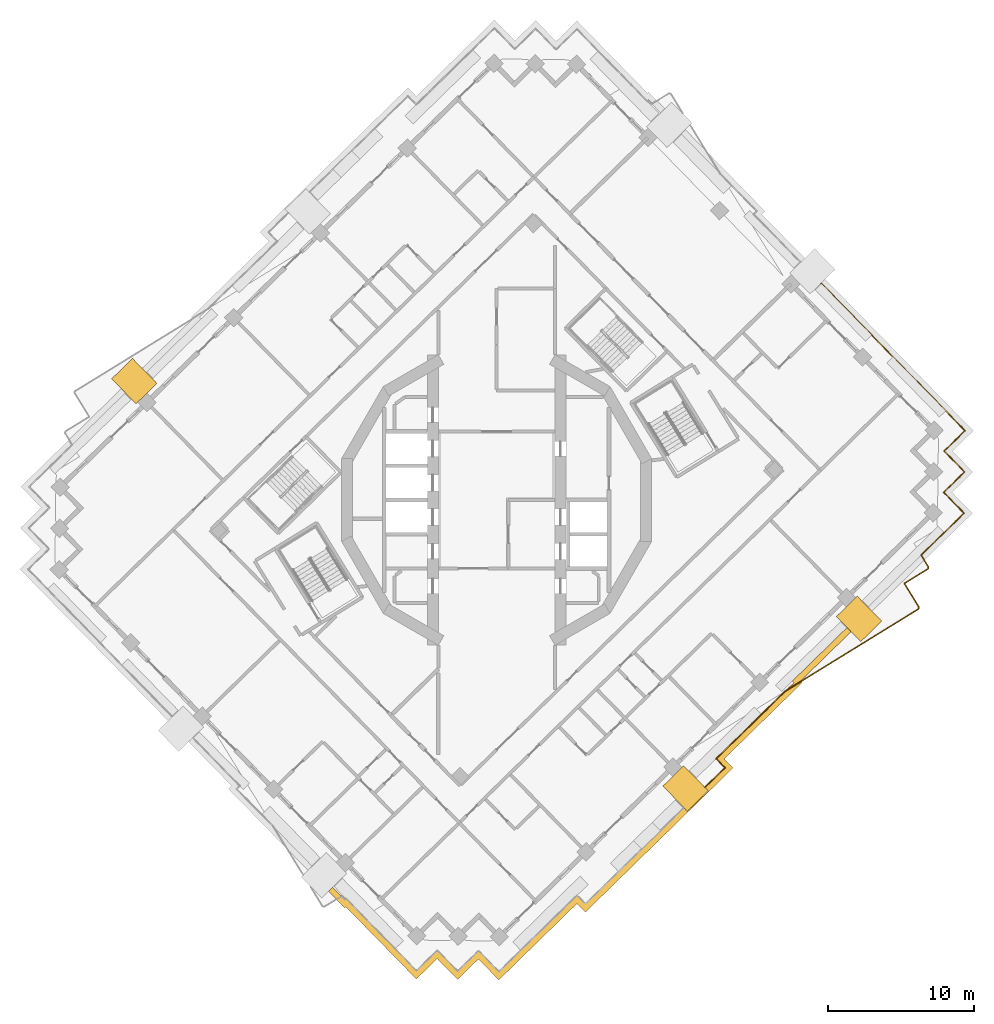
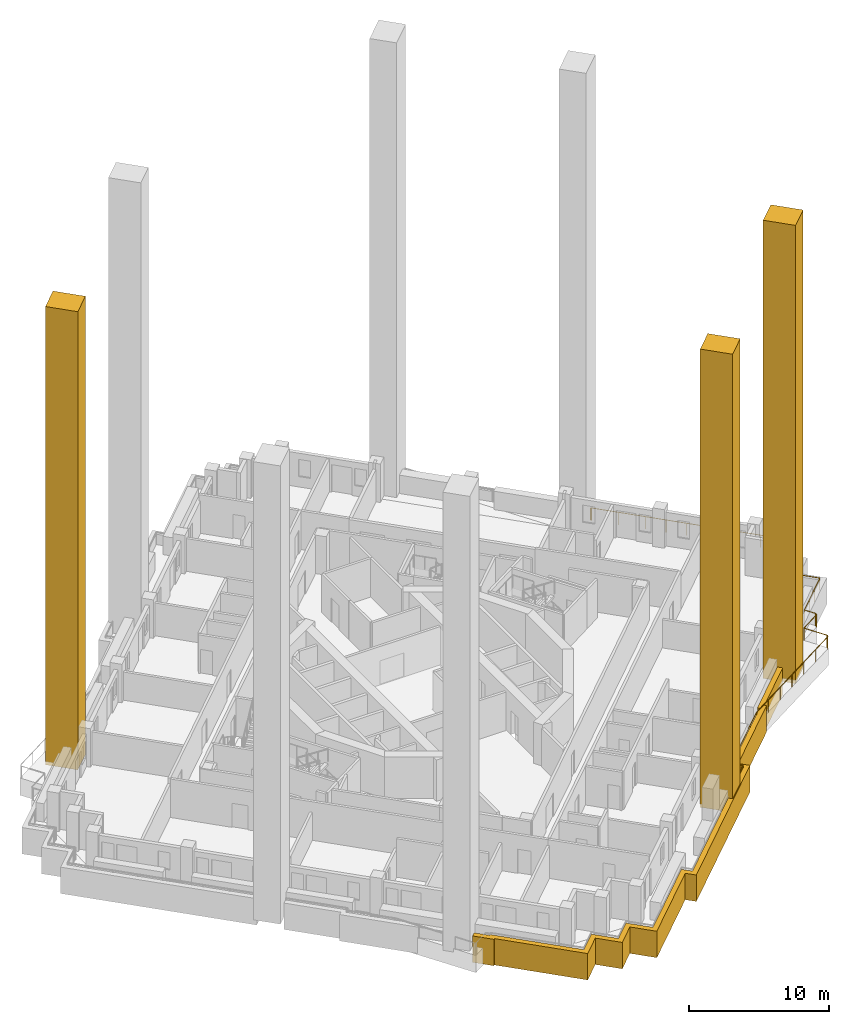
# One storey, part 13 of 17: 4 coverings, 1 railing.
"""IFC4 building model written with IfcOpenShell, lengths in metres."""

from ifc_helpers import new_model, si_unit, direction, frame, origin, origin_2d, place, context, subcontext, project, spatial, polyline, rectangle, circle, outline, extrude, material, type_object, element, save


model = new_model("IFC4")

# Units and contexts
model_context = context("Model", 3, precision=1e-05, world=origin(), true_north=direction((0.0, 1.0)))
body_context = subcontext(model_context, "Body", "Model", "MODEL_VIEW")
ifc_project = project(units=[si_unit("LENGTHUNIT", "METRE"), si_unit("AREAUNIT", "SQUARE_METRE"), si_unit("VOLUMEUNIT", "CUBIC_METRE"), si_unit("PLANEANGLEUNIT", "RADIAN"), si_unit("MASSUNIT", "GRAM", prefix="KILO")], contexts=[model_context])

# Site, building, storey
site_placement = place(None, origin())
site = spatial("IfcSite", under=ifc_project, at=site_placement, CompositionType="ELEMENT")
building_placement = place(site_placement, origin())
building = spatial("IfcBuilding", under=site, at=building_placement, Name="Cantera Rosa Tower", CompositionType="ELEMENT")
storey_placement = place(building_placement, frame((0.0, 0.0, 205.39990234375)))
storey = spatial("IfcBuildingStorey", under=building, at=storey_placement, Name="L43", CompositionType="ELEMENT", Elevation=205.39990234375)

# Railing
ifc_material_1 = material(Name="Stainless steel and laminated glass", Category="steel")
railing_type = type_object("IfcRailingType", Name="GUARD 1100", PredefinedType="BALUSTRADE", material=ifc_material_1)
railing_placement = place(storey_placement, frame((22.26416015625, 14.845703125, 0.0)))
element("IfcRailing", 1, at=railing_placement, inside=storey, type_object=railing_type, Name="GUARD L43-9", PredefinedType="BALUSTRADE", context=body_context, shape_type="SweptSolid", body=[
    extrude(circle(Radius=0.030029296875, at=origin_2d()), frame((0.0, 0.0, 1.070068359375), z_axis=(0.700106234421, -0.714038696798, 0.0), x_axis=(0.714038696798, 0.700106234421, 0.0)), (0.0, 0.0, 1.0), 0.070068359375),
    extrude(circle(Radius=0.030029296875, at=origin_2d()), frame((0.049072265625, -0.050048828125, 1.070068359375), z_axis=(0.698829866575, -0.715287926351, 0.0), x_axis=(0.715287926351, 0.698829866575, 0.0)), (0.0, 0.0, 1.0), 4.02001953125),
    extrude(circle(Radius=0.030029296875, at=origin_2d()), frame((2.8583984375, -2.925537109375, 1.070068359375), z_axis=(0.698839281014, -0.715278728407, 0.0), x_axis=(0.715278728407, 0.698839281014, 0.0)), (0.0, 0.0, 1.0), 3.0),
    extrude(circle(Radius=0.030029296875, at=origin_2d()), frame((4.954833984375, -5.0712890625, 1.070068359375), z_axis=(0.698810055914, -0.715307280652, 0.0), x_axis=(0.715307280652, 0.698810055914, 0.0)), (0.0, 0.0, 1.0), 5.52001953125),
    extrude(circle(Radius=0.030029296875, at=origin_2d()), frame((8.812255859375, -9.019775390625, 1.070068359375), z_axis=(0.698921594874, -0.71519829713, 0.0), x_axis=(0.71519829713, 0.698921594874, 0.0)), (0.0, 0.0, 1.0), 1.5),
    extrude(circle(Radius=0.030029296875, at=origin_2d()), frame((9.860595703125, -10.092529296875, 1.070068359375), z_axis=(-0.715277793538, -0.698840237873, 0.0), x_axis=(0.698840237873, -0.715277793538, 0.0)), (0.0, 0.0, 1.0), 1.5),
    extrude(circle(Radius=0.030029296875, at=origin_2d()), frame((8.78759765625, -11.140869140625, 1.070068359375), z_axis=(-0.715359149995, -0.698756958118, 0.0), x_axis=(0.698756958118, -0.715359149995, 0.0)), (0.0, 0.0, 1.0), 0.5),
    extrude(circle(Radius=0.030029296875, at=origin_2d()), frame((8.429931640625, -11.490234375, 1.070068359375), z_axis=(0.699006712162, -0.715115107065, 0.0), x_axis=(0.715115107065, 0.699006712162, 0.0)), (0.0, 0.0, 1.0), 0.500244140625),
    extrude(circle(Radius=0.030029296875, at=origin_2d()), frame((8.779541015625, -11.847900390625, 1.070068359375), z_axis=(0.698756958118, -0.715359149995, 0.0), x_axis=(0.715359149995, 0.698756958118, 0.0)), (0.0, 0.0, 1.0), 1.5),
    extrude(circle(Radius=0.030029296875, at=origin_2d()), frame((9.82763671875, -12.9208984375, 1.070068359375), z_axis=(-0.71519829713, -0.698921594874, 0.0), x_axis=(0.698921594874, -0.71519829713, 0.0)), (0.0, 0.0, 1.0), 1.5),
    extrude(circle(Radius=0.030029296875, at=origin_2d()), frame((8.7548828125, -13.96923828125, 1.070068359375), z_axis=(-0.715359149995, -0.698756958118, 0.0), x_axis=(0.698756958118, -0.715359149995, 0.0)), (0.0, 0.0, 1.0), 0.5),
    extrude(circle(Radius=0.030029296875, at=origin_2d()), frame((8.397216796875, -14.318603515625, 1.070068359375), z_axis=(0.698756958118, -0.715359149995, 0.0), x_axis=(0.715359149995, 0.698756958118, 0.0)), (0.0, 0.0, 1.0), 0.5),
    extrude(circle(Radius=0.030029296875, at=origin_2d()), frame((8.74658203125, -14.67626953125, 1.070068359375), z_axis=(0.698838323933, -0.71527966349, 0.0), x_axis=(0.71527966349, 0.698838323933, 0.0)), (0.0, 0.0, 1.0), 1.499755859375),
    extrude(circle(Radius=0.030029296875, at=origin_2d()), frame((9.794677734375, -15.7490234375, 1.070068359375), z_axis=(-0.71519829713, -0.698921594874, 0.0), x_axis=(0.698921594874, -0.71519829713, 0.0)), (0.0, 0.0, 1.0), 1.5),
    extrude(circle(Radius=0.030029296875, at=origin_2d()), frame((8.721923828125, -16.79736328125, 1.070068359375), z_axis=(-0.715284895398, -0.698832968896, 0.0), x_axis=(0.698832968896, -0.715284895398, 0.0)), (0.0, 0.0, 1.0), 2.61181640625),
    extrude(circle(Radius=0.030029296875, at=origin_2d()), frame((6.853759765625, -18.62255859375, 1.070068359375), z_axis=(0.525036207182, -0.851079891166, 0.0), x_axis=(0.851079891166, 0.525036207182, 0.0)), (0.0, 0.0, 1.0), 0.8994140625),
    extrude(circle(Radius=0.030029296875, at=origin_2d()), frame((7.325927734375, -19.387939453125, 1.070068359375), z_axis=(0.480011415389, -0.877262241919, 0.0), x_axis=(0.877262241919, 0.480011415389, 0.0)), (0.0, 0.0, 1.0), 0.0146484375),
    extrude(circle(Radius=0.030029296875, at=origin_2d()), frame((7.3330078125, -19.40087890625, 1.070068359375), z_axis=(0.399944456016, -0.91653937837, 0.0), x_axis=(0.91653937837, 0.399944456016, 0.0)), (0.0, 0.0, 1.0), 0.0146484375),
    extrude(circle(Radius=0.030029296875, at=origin_2d()), frame((7.3388671875, -19.414306640625, 1.070068359375), z_axis=(0.296399214872, -0.955064136811, 0.0), x_axis=(0.955064136811, 0.296399214872, 0.0)), (0.0, 0.0, 1.0), 0.014892578125),
    extrude(circle(Radius=0.030029296875, at=origin_2d()), frame((7.34326171875, -19.428466796875, 1.070068359375), z_axis=(0.199309151649, -0.979936662274, 0.0), x_axis=(0.979936662274, 0.199309151649, 0.0)), (0.0, 0.0, 1.0), 0.0146484375),
    extrude(circle(Radius=0.030029296875, at=origin_2d()), frame((7.34619140625, -19.44287109375, 1.070068359375), z_axis=(0.11588069956, -0.993263139087, 0.0), x_axis=(0.993263139087, 0.11588069956, 0.0)), (0.0, 0.0, 1.0), 0.0146484375),
    extrude(circle(Radius=0.030029296875, at=origin_2d()), frame((7.347900390625, -19.45751953125, 1.070068359375), z_axis=(0.016664352334, -0.99986114004, 0.0), x_axis=(0.99986114004, 0.016664352334, 0.0)), (0.0, 0.0, 1.0), 0.0146484375),
    extrude(circle(Radius=0.030029296875, at=origin_2d()), frame((7.34814453125, -19.47216796875, 1.070068359375), z_axis=(-0.083045479854, -0.996545758245, 0.0), x_axis=(0.996545758245, -0.083045479854, 0.0)), (0.0, 0.0, 1.0), 0.0146484375),
    extrude(circle(Radius=0.030029296875, at=origin_2d()), frame((7.346923828125, -19.48681640625, 1.070068359375), z_axis=(-0.183282428617, -0.983060298944, 0.0), x_axis=(0.983060298944, -0.183282428617, 0.0)), (0.0, 0.0, 1.0), 0.0146484375),
    extrude(circle(Radius=0.030029296875, at=origin_2d()), frame((7.34423828125, -19.501220703125, 1.070068359375), z_axis=(-0.281270435277, -0.959628543885, 0.0), x_axis=(0.959628543885, -0.281270435277, 0.0)), (0.0, 0.0, 1.0), 0.0146484375),
    extrude(circle(Radius=0.030029296875, at=origin_2d()), frame((7.340087890625, -19.515380859375, 1.070068359375), z_axis=(-0.365652372423, -0.93075149344, 0.0), x_axis=(0.93075149344, -0.365652372423, 0.0)), (0.0, 0.0, 1.0), 0.0146484375),
    extrude(circle(Radius=0.030029296875, at=origin_2d()), frame((7.334716796875, -19.529052734375, 1.070068359375), z_axis=(-0.460317164455, -0.887754531449, 0.0), x_axis=(0.887754531449, -0.460317164455, 0.0)), (0.0, 0.0, 1.0), 0.014892578125),
    extrude(circle(Radius=0.030029296875, at=origin_2d()), frame((7.327880859375, -19.542236328125, 1.070068359375), z_axis=(-0.550842208331, -0.834609406562, 0.0), x_axis=(0.834609406562, -0.550842208331, 0.0)), (0.0, 0.0, 1.0), 0.0146484375),
    extrude(circle(Radius=0.030029296875, at=origin_2d()), frame((7.31982421875, -19.554443359375, 1.070068359375), z_axis=(-0.628722149442, -0.777630026941, 0.0), x_axis=(0.777630026941, -0.628722149442, 0.0)), (0.0, 0.0, 1.0), 0.0146484375),
    extrude(circle(Radius=0.030029296875, at=origin_2d()), frame((7.310546875, -19.56591796875, 1.070068359375), z_axis=(-0.698739523875, -0.715376179206, 0.0), x_axis=(0.715376179206, -0.698739523875, 0.0)), (0.0, 0.0, 1.0), 0.0146484375),
    extrude(circle(Radius=0.030029296875, at=origin_2d()), frame((7.30029296875, -19.576416015625, 1.070068359375), z_axis=(-0.762756963467, -0.646685251635, 0.0), x_axis=(0.646685251635, -0.762756963467, 0.0)), (0.0, 0.0, 1.0), 0.0146484375),
    extrude(circle(Radius=0.030029296875, at=origin_2d()), frame((7.2890625, -19.5859375, 1.070068359375), z_axis=(-0.82692650207, -0.562310021407, 0.0), x_axis=(0.562310021407, -0.82692650207, 0.0)), (0.0, 0.0, 1.0), 0.0146484375),
    extrude(circle(Radius=0.030029296875, at=origin_2d()), frame((7.27685546875, -19.59423828125, 1.070068359375), z_axis=(-0.851103903917, -0.524997280695, 0.0), x_axis=(0.524997280695, -0.851103903917, 0.0)), (0.0, 0.0, 1.0), 1.84619140625),
    extrude(circle(Radius=0.030029296875, at=origin_2d()), frame((5.70556640625, -20.5634765625, 1.070068359375), z_axis=(-0.8, -0.6, 0.0), x_axis=(0.6, -0.8, 0.0)), (0.0, 0.0, 1.0), 0.003662109375),
    extrude(circle(Radius=0.030029296875, at=origin_2d()), frame((5.70263671875, -20.565673828125, 1.070068359375), z_axis=(0.503871025524, -0.863778900898, 0.0), x_axis=(0.863778900898, 0.503871025524, 0.0)), (0.0, 0.0, 1.0), 0.00341796875),
    extrude(circle(Radius=0.030029296875, at=origin_2d()), frame((5.704345703125, -20.568603515625, 1.070068359375), z_axis=(0.524938197142, -0.851140346348, 0.0), x_axis=(0.851140346348, 0.524938197142, 0.0)), (0.0, 0.0, 1.0), 1.846435546875),
    extrude(circle(Radius=0.030029296875, at=origin_2d()), frame((6.673583984375, -22.14013671875, 1.070068359375), z_axis=(0.480011415389, -0.877262241919, 0.0), x_axis=(0.877262241919, 0.480011415389, 0.0)), (0.0, 0.0, 1.0), 0.0146484375),
    extrude(circle(Radius=0.030029296875, at=origin_2d()), frame((6.6806640625, -22.153076171875, 1.070068359375), z_axis=(0.399944456016, -0.91653937837, 0.0), x_axis=(0.91653937837, 0.399944456016, 0.0)), (0.0, 0.0, 1.0), 0.0146484375),
    extrude(circle(Radius=0.030029296875, at=origin_2d()), frame((6.6865234375, -22.16650390625, 1.070068359375), z_axis=(0.296399214872, -0.955064136811, 0.0), x_axis=(0.955064136811, 0.296399214872, 0.0)), (0.0, 0.0, 1.0), 0.014892578125),
    extrude(circle(Radius=0.030029296875, at=origin_2d()), frame((6.69091796875, -22.1806640625, 1.070068359375), z_axis=(0.215177531037, -0.976574948551, 0.0), x_axis=(0.976574948551, 0.215177531037, 0.0)), (0.0, 0.0, 1.0), 0.0146484375),
    extrude(circle(Radius=0.030029296875, at=origin_2d()), frame((6.694091796875, -22.195068359375, 1.070068359375), z_axis=(0.099503719021, -0.99503719021, 0.0), x_axis=(0.99503719021, 0.099503719021, 0.0)), (0.0, 0.0, 1.0), 0.0146484375),
    extrude(circle(Radius=0.030029296875, at=origin_2d()), frame((6.695556640625, -22.209716796875, 1.070068359375), z_axis=(0.016664352334, -0.99986114004, 0.0), x_axis=(0.99986114004, 0.016664352334, 0.0)), (0.0, 0.0, 1.0), 0.0146484375),
    extrude(circle(Radius=0.030029296875, at=origin_2d()), frame((6.69580078125, -22.224365234375, 1.070068359375), z_axis=(-0.083045479854, -0.996545758245, 0.0), x_axis=(0.996545758245, -0.083045479854, 0.0)), (0.0, 0.0, 1.0), 0.0146484375),
    extrude(circle(Radius=0.030029296875, at=origin_2d()), frame((6.694580078125, -22.239013671875, 1.070068359375), z_axis=(-0.183282428617, -0.983060298944, 0.0), x_axis=(0.983060298944, -0.183282428617, 0.0)), (0.0, 0.0, 1.0), 0.0146484375),
    extrude(circle(Radius=0.030029296875, at=origin_2d()), frame((6.69189453125, -22.25341796875, 1.070068359375), z_axis=(-0.281270435277, -0.959628543885, 0.0), x_axis=(0.959628543885, -0.281270435277, 0.0)), (0.0, 0.0, 1.0), 0.0146484375),
    extrude(circle(Radius=0.030029296875, at=origin_2d()), frame((6.687744140625, -22.267578125, 1.070068359375), z_axis=(-0.365652372423, -0.93075149344, 0.0), x_axis=(0.93075149344, -0.365652372423, 0.0)), (0.0, 0.0, 1.0), 0.0146484375),
    extrude(circle(Radius=0.030029296875, at=origin_2d()), frame((6.682373046875, -22.28125, 1.070068359375), z_axis=(-0.460317164455, -0.887754531449, 0.0), x_axis=(0.887754531449, -0.460317164455, 0.0)), (0.0, 0.0, 1.0), 0.014892578125),
    extrude(circle(Radius=0.030029296875, at=origin_2d()), frame((6.675537109375, -22.29443359375, 1.070068359375), z_axis=(-0.550842208331, -0.834609406562, 0.0), x_axis=(0.834609406562, -0.550842208331, 0.0)), (0.0, 0.0, 1.0), 0.0146484375),
    extrude(circle(Radius=0.030029296875, at=origin_2d()), frame((6.66748046875, -22.306640625, 1.070068359375), z_axis=(-0.618559606331, -0.785737878313, 0.0), x_axis=(0.785737878313, -0.618559606331, 0.0)), (0.0, 0.0, 1.0), 0.0146484375),
    extrude(circle(Radius=0.030029296875, at=origin_2d()), frame((6.658447265625, -22.318115234375, 1.070068359375), z_axis=(-0.707106781187, -0.707106781187, 0.0), x_axis=(0.707106781187, -0.707106781187, 0.0)), (0.0, 0.0, 1.0), 0.014892578125),
    extrude(circle(Radius=0.030029296875, at=origin_2d()), frame((6.64794921875, -22.32861328125, 1.070068359375), z_axis=(-0.762756963467, -0.646685251635, 0.0), x_axis=(0.646685251635, -0.762756963467, 0.0)), (0.0, 0.0, 1.0), 0.0146484375),
    extrude(circle(Radius=0.030029296875, at=origin_2d()), frame((6.63671875, -22.338134765625, 1.070068359375), z_axis=(-0.821588113591, -0.570081548206, 0.0), x_axis=(0.570081548206, -0.821588113591, 0.0)), (0.0, 0.0, 1.0), 0.0146484375),
    extrude(circle(Radius=0.030029296875, at=origin_2d()), frame((6.624755859375, -22.346435546875, 1.070068359375), z_axis=(-0.851114302365, -0.524980422787, 0.0), x_axis=(0.524980422787, -0.851114302365, 0.0)), (0.0, 0.0, 1.0), 10.70263671875),
    extrude(circle(Radius=0.030029296875, at=origin_2d()), frame((-2.484375, -27.965087890625, 1.070068359375), z_axis=(-0.715288656227, -0.698829119509, 0.0), x_axis=(0.698829119509, -0.715288656227, 0.0)), (0.0, 0.0, 1.0), 6.615478515625),
    extrude(circle(Radius=0.030029296875, at=origin_2d()), frame((-7.21630859375, -32.588134765625, 1.070068359375), z_axis=(0.698756270008, -0.715359822135, 0.0), x_axis=(0.715359822135, 0.698756270008, 0.0)), (0.0, 0.0, 1.0), 0.867431640625),
    extrude(circle(Radius=0.030029296875, at=origin_2d()), frame((-6.610107421875, -33.208740234375, 1.070068359375), z_axis=(-0.715242834957, -0.698876016932, 0.0), x_axis=(0.698876016932, -0.715242834957, 0.0)), (0.0, 0.0, 1.0), 1.89453125),
    extrude(circle(Radius=0.02490234375, at=origin_2d()), origin(), (0.0, 0.0, 1.0), 1.0400390625),
    extrude(circle(Radius=0.02490234375, at=origin_2d()), frame((0.049072265625, -0.050048828125, 0.0)), (0.0, 0.0, 1.0), 1.0400390625),
    extrude(circle(Radius=0.02490234375, at=origin_2d()), frame((1.45361328125, -1.48779296875, 0.0)), (0.0, 0.0, 1.0), 1.0400390625),
    extrude(circle(Radius=0.02490234375, at=origin_2d()), frame((2.8583984375, -2.925537109375, 0.0)), (0.0, 0.0, 1.0), 1.0400390625),
    extrude(circle(Radius=0.02490234375, at=origin_2d()), frame((3.90673828125, -3.99853515625, 0.0)), (0.0, 0.0, 1.0), 1.0400390625),
    extrude(circle(Radius=0.02490234375, at=origin_2d()), frame((4.954833984375, -5.0712890625, 0.0)), (0.0, 0.0, 1.0), 1.0400390625),
    extrude(circle(Radius=0.02490234375, at=origin_2d()), frame((6.24072265625, -6.387451171875, 0.0)), (0.0, 0.0, 1.0), 1.0400390625),
    extrude(circle(Radius=0.02490234375, at=origin_2d()), frame((7.5263671875, -7.70361328125, 0.0)), (0.0, 0.0, 1.0), 1.0400390625),
    extrude(circle(Radius=0.02490234375, at=origin_2d()), frame((8.812255859375, -9.019775390625, 0.0)), (0.0, 0.0, 1.0), 1.0400390625),
    extrude(circle(Radius=0.02490234375, at=origin_2d()), frame((9.860595703125, -10.092529296875, 0.0)), (0.0, 0.0, 1.0), 1.0400390625),
    extrude(circle(Radius=0.02490234375, at=origin_2d()), frame((8.78759765625, -11.140869140625, 0.0)), (0.0, 0.0, 1.0), 1.0400390625),
    extrude(circle(Radius=0.02490234375, at=origin_2d()), frame((8.429931640625, -11.490234375, 0.0)), (0.0, 0.0, 1.0), 1.0400390625),
    extrude(circle(Radius=0.02490234375, at=origin_2d()), frame((8.779541015625, -11.847900390625, 0.0)), (0.0, 0.0, 1.0), 1.0400390625),
    extrude(circle(Radius=0.02490234375, at=origin_2d()), frame((9.82763671875, -12.9208984375, 0.0)), (0.0, 0.0, 1.0), 1.0400390625),
    extrude(circle(Radius=0.02490234375, at=origin_2d()), frame((8.7548828125, -13.96923828125, 0.0)), (0.0, 0.0, 1.0), 1.0400390625),
    extrude(circle(Radius=0.02490234375, at=origin_2d()), frame((8.397216796875, -14.318603515625, 0.0)), (0.0, 0.0, 1.0), 1.0400390625),
    extrude(circle(Radius=0.02490234375, at=origin_2d()), frame((8.74658203125, -14.67626953125, 0.0)), (0.0, 0.0, 1.0), 1.0400390625),
    extrude(circle(Radius=0.02490234375, at=origin_2d()), frame((9.794677734375, -15.7490234375, 0.0)), (0.0, 0.0, 1.0), 1.0400390625),
    extrude(circle(Radius=0.02490234375, at=origin_2d()), frame((8.721923828125, -16.79736328125, 0.0)), (0.0, 0.0, 1.0), 1.0400390625),
    extrude(circle(Radius=0.02490234375, at=origin_2d()), frame((7.787841796875, -17.7099609375, 0.0)), (0.0, 0.0, 1.0), 1.0400390625),
    extrude(circle(Radius=0.02490234375, at=origin_2d()), frame((6.853759765625, -18.62255859375, 0.0)), (0.0, 0.0, 1.0), 1.0400390625),
    extrude(circle(Radius=0.02490234375, at=origin_2d()), frame((7.325927734375, -19.387939453125, 0.0)), (0.0, 0.0, 1.0), 1.0400390625),
    extrude(circle(Radius=0.02490234375, at=origin_2d()), frame((7.3330078125, -19.40087890625, 0.0)), (0.0, 0.0, 1.0), 1.0400390625),
    extrude(circle(Radius=0.02490234375, at=origin_2d()), frame((7.3388671875, -19.414306640625, 0.0)), (0.0, 0.0, 1.0), 1.0400390625),
    extrude(circle(Radius=0.02490234375, at=origin_2d()), frame((7.34326171875, -19.428466796875, 0.0)), (0.0, 0.0, 1.0), 1.0400390625),
    extrude(circle(Radius=0.02490234375, at=origin_2d()), frame((7.34619140625, -19.44287109375, 0.0)), (0.0, 0.0, 1.0), 1.0400390625),
    extrude(circle(Radius=0.02490234375, at=origin_2d()), frame((7.347900390625, -19.45751953125, 0.0)), (0.0, 0.0, 1.0), 1.0400390625),
    extrude(circle(Radius=0.02490234375, at=origin_2d()), frame((7.34814453125, -19.47216796875, 0.0)), (0.0, 0.0, 1.0), 1.0400390625),
    extrude(circle(Radius=0.02490234375, at=origin_2d()), frame((7.346923828125, -19.48681640625, 0.0)), (0.0, 0.0, 1.0), 1.0400390625),
    extrude(circle(Radius=0.02490234375, at=origin_2d()), frame((7.34423828125, -19.501220703125, 0.0)), (0.0, 0.0, 1.0), 1.0400390625),
    extrude(circle(Radius=0.02490234375, at=origin_2d()), frame((7.340087890625, -19.515380859375, 0.0)), (0.0, 0.0, 1.0), 1.0400390625),
    extrude(circle(Radius=0.02490234375, at=origin_2d()), frame((7.334716796875, -19.529052734375, 0.0)), (0.0, 0.0, 1.0), 1.0400390625),
    extrude(circle(Radius=0.02490234375, at=origin_2d()), frame((7.327880859375, -19.542236328125, 0.0)), (0.0, 0.0, 1.0), 1.0400390625),
    extrude(circle(Radius=0.02490234375, at=origin_2d()), frame((7.31982421875, -19.554443359375, 0.0)), (0.0, 0.0, 1.0), 1.0400390625),
    extrude(circle(Radius=0.02490234375, at=origin_2d()), frame((7.310546875, -19.56591796875, 0.0)), (0.0, 0.0, 1.0), 1.0400390625),
    extrude(circle(Radius=0.02490234375, at=origin_2d()), frame((7.30029296875, -19.576416015625, 0.0)), (0.0, 0.0, 1.0), 1.0400390625),
    extrude(circle(Radius=0.02490234375, at=origin_2d()), frame((7.2890625, -19.5859375, 0.0)), (0.0, 0.0, 1.0), 1.0400390625),
    extrude(circle(Radius=0.02490234375, at=origin_2d()), frame((7.27685546875, -19.59423828125, 0.0)), (0.0, 0.0, 1.0), 1.0400390625),
    extrude(circle(Radius=0.02490234375, at=origin_2d()), frame((5.70556640625, -20.5634765625, 0.0)), (0.0, 0.0, 1.0), 1.0400390625),
    extrude(circle(Radius=0.02490234375, at=origin_2d()), frame((5.70263671875, -20.565673828125, 0.0)), (0.0, 0.0, 1.0), 1.0400390625),
    extrude(circle(Radius=0.02490234375, at=origin_2d()), frame((5.704345703125, -20.568603515625, 0.0)), (0.0, 0.0, 1.0), 1.0400390625),
    extrude(circle(Radius=0.02490234375, at=origin_2d()), frame((6.673583984375, -22.14013671875, 0.0)), (0.0, 0.0, 1.0), 1.0400390625),
    extrude(circle(Radius=0.02490234375, at=origin_2d()), frame((6.6806640625, -22.153076171875, 0.0)), (0.0, 0.0, 1.0), 1.0400390625),
    extrude(circle(Radius=0.02490234375, at=origin_2d()), frame((6.6865234375, -22.16650390625, 0.0)), (0.0, 0.0, 1.0), 1.0400390625),
    extrude(circle(Radius=0.02490234375, at=origin_2d()), frame((6.69091796875, -22.1806640625, 0.0)), (0.0, 0.0, 1.0), 1.0400390625),
    extrude(circle(Radius=0.02490234375, at=origin_2d()), frame((6.694091796875, -22.195068359375, 0.0)), (0.0, 0.0, 1.0), 1.0400390625),
    extrude(circle(Radius=0.02490234375, at=origin_2d()), frame((6.695556640625, -22.209716796875, 0.0)), (0.0, 0.0, 1.0), 1.0400390625),
    extrude(circle(Radius=0.02490234375, at=origin_2d()), frame((6.69580078125, -22.224365234375, 0.0)), (0.0, 0.0, 1.0), 1.0400390625),
    extrude(circle(Radius=0.02490234375, at=origin_2d()), frame((6.694580078125, -22.239013671875, 0.0)), (0.0, 0.0, 1.0), 1.0400390625),
    extrude(circle(Radius=0.02490234375, at=origin_2d()), frame((6.69189453125, -22.25341796875, 0.0)), (0.0, 0.0, 1.0), 1.0400390625),
    extrude(circle(Radius=0.02490234375, at=origin_2d()), frame((6.687744140625, -22.267578125, 0.0)), (0.0, 0.0, 1.0), 1.0400390625),
    extrude(circle(Radius=0.02490234375, at=origin_2d()), frame((6.682373046875, -22.28125, 0.0)), (0.0, 0.0, 1.0), 1.0400390625),
    extrude(circle(Radius=0.02490234375, at=origin_2d()), frame((6.675537109375, -22.29443359375, 0.0)), (0.0, 0.0, 1.0), 1.0400390625),
    extrude(circle(Radius=0.02490234375, at=origin_2d()), frame((6.66748046875, -22.306640625, 0.0)), (0.0, 0.0, 1.0), 1.0400390625),
    extrude(circle(Radius=0.02490234375, at=origin_2d()), frame((6.658447265625, -22.318115234375, 0.0)), (0.0, 0.0, 1.0), 1.0400390625),
    extrude(circle(Radius=0.02490234375, at=origin_2d()), frame((6.64794921875, -22.32861328125, 0.0)), (0.0, 0.0, 1.0), 1.0400390625),
    extrude(circle(Radius=0.02490234375, at=origin_2d()), frame((6.63671875, -22.338134765625, 0.0)), (0.0, 0.0, 1.0), 1.0400390625),
    extrude(circle(Radius=0.02490234375, at=origin_2d()), frame((6.624755859375, -22.346435546875, 0.0)), (0.0, 0.0, 1.0), 1.0400390625),
    extrude(circle(Radius=0.02490234375, at=origin_2d()), frame((5.1064453125, -23.282958984375, 0.0)), (0.0, 0.0, 1.0), 1.0400390625),
    extrude(circle(Radius=0.02490234375, at=origin_2d()), frame((3.58837890625, -24.21923828125, 0.0)), (0.0, 0.0, 1.0), 1.0400390625),
    extrude(circle(Radius=0.02490234375, at=origin_2d()), frame((2.0703125, -25.15576171875, 0.0)), (0.0, 0.0, 1.0), 1.0400390625),
    extrude(circle(Radius=0.02490234375, at=origin_2d()), frame((0.552001953125, -26.09228515625, 0.0)), (0.0, 0.0, 1.0), 1.0400390625),
    extrude(circle(Radius=0.02490234375, at=origin_2d()), frame((-0.96630859375, -27.028564453125, 0.0)), (0.0, 0.0, 1.0), 1.0400390625),
    extrude(circle(Radius=0.02490234375, at=origin_2d()), frame((-2.484375, -27.965087890625, 0.0)), (0.0, 0.0, 1.0), 1.0400390625),
    extrude(circle(Radius=0.02490234375, at=origin_2d()), frame((-3.66748046875, -29.120849609375, 0.0)), (0.0, 0.0, 1.0), 1.0400390625),
    extrude(circle(Radius=0.02490234375, at=origin_2d()), frame((-4.850341796875, -30.276611328125, 0.0)), (0.0, 0.0, 1.0), 1.0400390625),
    extrude(circle(Radius=0.02490234375, at=origin_2d()), frame((-6.033203125, -31.432373046875, 0.0)), (0.0, 0.0, 1.0), 1.0400390625),
    extrude(circle(Radius=0.02490234375, at=origin_2d()), frame((-7.21630859375, -32.588134765625, 0.0)), (0.0, 0.0, 1.0), 1.0400390625),
    extrude(circle(Radius=0.02490234375, at=origin_2d()), frame((-6.610107421875, -33.208740234375, 0.0)), (0.0, 0.0, 1.0), 1.0400390625),
    extrude(circle(Radius=0.02490234375, at=origin_2d()), frame((-7.965087890625, -34.53271484375, 0.0)), (0.0, 0.0, 1.0), 1.0400390625),
])

# Coverings
ifc_material_2 = material(Name="Cantera stone", Category="masonry")
covering_type_1 = type_object("IfcCoveringType", Name="STONE FIN 2000x2400", PredefinedType="CLADDING", material=ifc_material_2)
for number, where, z_axis, x_axis, name in (
    (2, (-24.853515625, 8.15283203125, -0.2998046875), (0.0, 0.0, 1.0), (-0.71528629107, -0.698831540364, 0.0), "STONE FIN FN-Z4-04"),
    (3, (12.951171875, -19.78125, -0.2998046875), (0.0, 0.0, 1.0), (0.71528629107, 0.698831540364, 0.0), "STONE FIN FN-Z4-05"),
    (4, (24.853515625, -8.15283203125, -0.2998046875), (0.0, 0.0, 1.0), (0.71528629107, 0.698831540364, 0.0), "STONE FIN FN-Z4-06"),
):
    element("IfcCovering", number, at=place(storey_placement, frame(where, z_axis=z_axis, x_axis=x_axis)), inside=storey, type_object=covering_type_1, Name=name, PredefinedType="CLADDING", context=body_context, shape_type="SweptSolid", body=[
        extrude(rectangle(XDim=2.0, YDim=2.39990234375, at=origin_2d()), origin(), (0.0, 0.0, 1.0), 39.89990234375),
    ])
ifc_material_3 = material(Name="Cantera stone", Category="masonry")
covering_type_2 = type_object("IfcCoveringType", Name="TRAY FASCIA 400", PredefinedType="CLADDING", material=ifc_material_3)
covering_placement = place(storey_placement, frame((0.0, 0.0, -1.39990234375)))
element("IfcCovering", 5, at=covering_placement, inside=storey, type_object=covering_type_2, Name="TRAY FASCIA L43-04", PredefinedType="CLADDING", context=body_context, shape_type="SweptSolid", body=[
    extrude(outline(polyline([(24.241455078125, -9.100341796875), (20.83447265625, -12.428955078125), (20.944091796875, -12.541015625), (15.613525390625, -17.7490234375), (16.2197265625, -18.36962890625), (6.0849609375, -28.271484375), (5.5087890625, -27.681640625), (1.6494140625, -31.4521484375), (0.147216796875, -32.919677734375), (-1.250244140625, -31.4892578125), (-2.680908203125, -32.886962890625), (-4.07861328125, -31.456298828125), (-5.50927734375, -32.85400390625), (-6.976806640625, -31.351806640625), (-10.34228515625, -27.906982421875), (-10.416748046875, -27.979736328125), (-11.530517578125, -26.839599609375), (-11.244384765625, -26.56005859375), (-10.41015625, -27.4140625), (-10.335693359375, -27.34130859375), (-6.690673828125, -31.072265625), (-5.502685546875, -32.288330078125), (-4.28662109375, -31.100341796875), (-4.072021484375, -30.890625), (-3.8623046875, -31.105224609375), (-2.67431640625, -32.3212890625), (-1.458251953125, -31.13330078125), (-1.24365234375, -30.923583984375), (-1.0341796875, -31.13818359375), (0.15380859375, -32.35400390625), (1.369873046875, -31.166015625), (5.515380859375, -27.115966796875), (6.091552734375, -27.705810546875), (12.83984375, -21.112548828125), (13.0673828125, -21.345458984375), (13.068115234375, -21.34619140625), (13.06884765625, -21.3466796875), (13.069580078125, -21.34716796875), (13.070556640625, -21.34765625), (13.071533203125, -21.34814453125), (13.072509765625, -21.348388671875), (13.073486328125, -21.348388671875), (13.074462890625, -21.348388671875), (13.075439453125, -21.348388671875), (13.076416015625, -21.348388671875), (13.077392578125, -21.34814453125), (13.078125, -21.34765625), (13.0791015625, -21.347412109375), (13.080078125, -21.346923828125), (13.080810546875, -21.34619140625), (13.08154296875, -21.345703125), (14.511962890625, -19.947998046875), (14.5126953125, -19.947265625), (14.513427734375, -19.946533203125), (14.513916015625, -19.945556640625), (14.51416015625, -19.94482421875), (14.5146484375, -19.94384765625), (14.514892578125, -19.94287109375), (14.514892578125, -19.94189453125), (14.51513671875, -19.94091796875), (14.51513671875, -19.93994140625), (14.514892578125, -19.93896484375), (14.5146484375, -19.93798828125), (14.514404296875, -19.93701171875), (14.513916015625, -19.936279296875), (14.513427734375, -19.935302734375), (14.512939453125, -19.9345703125), (14.51220703125, -19.933837890625), (14.28466796875, -19.700927734375), (15.654052734375, -18.363037109375), (15.0478515625, -17.742431640625), (20.37841796875, -12.534423828125), (20.268798828125, -12.42236328125), (23.9619140625, -8.814208984375), (24.0263671875, -8.751220703125), (24.305908203125, -9.037353515625), (24.241455078125, -9.100341796875)])), origin(), (0.0, 0.0, 1.0), 2.300048828125),
])

save(model, "model.ifc")
